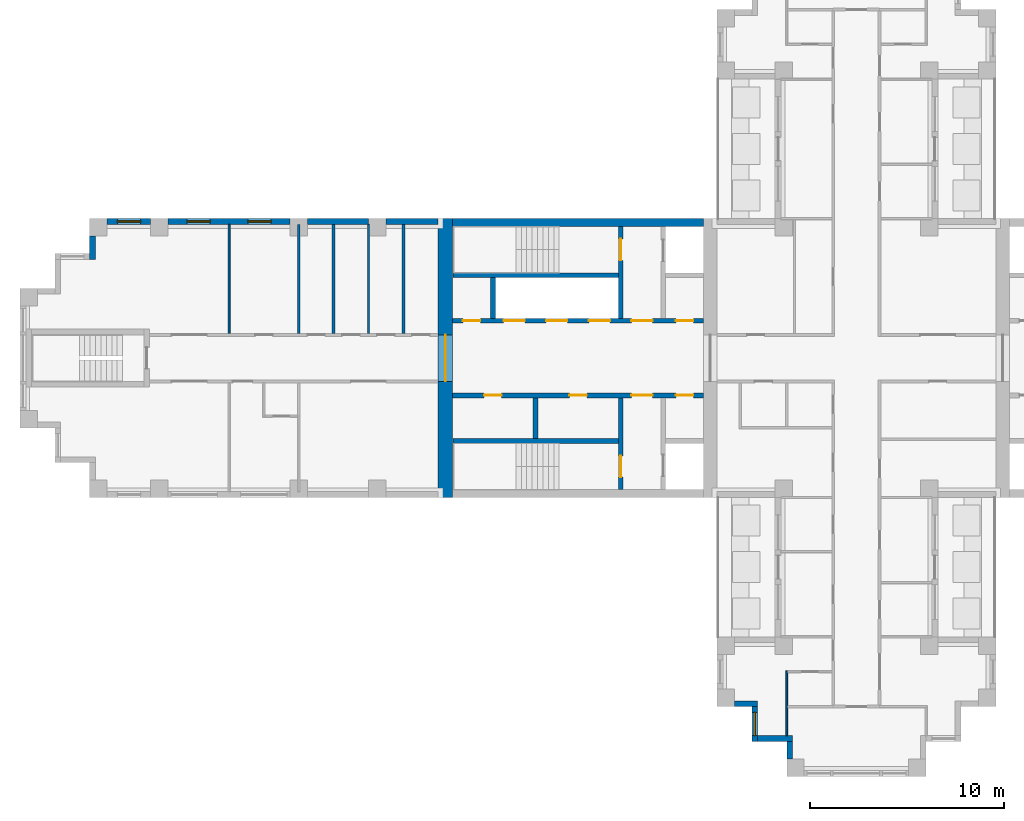
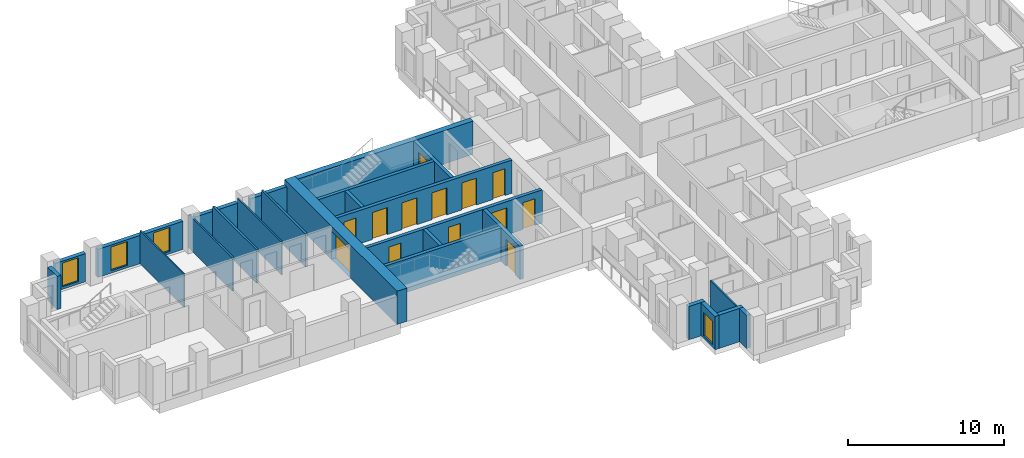
# One storey, part 3 of 11: 25 walls, 13 doors, 4 windows, 17 openings.
"""IFC4 building model written with IfcOpenShell, lengths in metres."""

import ifcopenshell
import ifcopenshell.guid

model = None  # the IFC model being written
_history = None  # IfcOwnerHistory: only IFC2X3 demands one
_inside = {}  # id of a spatial element -> (the spatial element, [elements in it])
_under = {}  # id of a project, library or spatial element -> (it, [spatial elements below it])
_declared = {}  # id of a project -> (the project, [libraries it declares])
_typed = {}  # id of a type object -> (the type object, [elements of that type])
_made_of = {}  # id of a material, layer set ... -> (it, [elements and type objects made of it])


def new_model(schema):
    """Start an empty IFC model of exactly this schema.

    Asked for "IFC4X3", IfcOpenShell would pick the latest addendum, in which some entities
    have other attributes; the version numbers below select the first issue.
    IFC2X3 requires an IfcOwnerHistory on every rooted entity: one is made here for all.
    """
    global model, _history
    if schema == "IFC4X3":
        model = ifcopenshell.file(schema_version=(4, 3, 0, 0))
    else:
        model = ifcopenshell.file(schema=schema)
    _inside.clear()
    _under.clear()
    _declared.clear()
    _typed.clear()
    _made_of.clear()
    _history = None
    if model.schema == "IFC2X3":
        org = make("IfcOrganization", Name="unknown")
        user = make(
            "IfcPersonAndOrganization",
            ThePerson=make("IfcPerson", FamilyName="unknown"),
            TheOrganization=org,
        )
        app = make(
            "IfcApplication",
            ApplicationDeveloper=org,
            Version="unknown",
            ApplicationFullName="unknown",
            ApplicationIdentifier="unknown",
        )
        _history = make(
            "IfcOwnerHistory",
            OwningUser=user,
            OwningApplication=app,
            ChangeAction="ADDED",
            CreationDate=0,
        )
    return model


def make(cls, **values):
    """One entity of the class cls with the attributes given. An attribute that is None is left unset."""
    return model.create_entity(
        cls, **{name: value for name, value in values.items() if value is not None}
    )


def rooted(cls, **values):
    """An entity with a GlobalId (a new one), such as an element, a storey or a relation."""
    return make(cls, GlobalId=ifcopenshell.guid.new(), OwnerHistory=_history, **values)


def si_unit(unit_type, name, prefix=None):
    """IfcSIUnit, for example si_unit("LENGTHUNIT", "METRE", prefix="MILLI")."""
    return make("IfcSIUnit", UnitType=unit_type, Prefix=prefix, Name=name)


def assignment(units):
    """IfcUnitAssignment: the units of a project."""
    return None if units is None else make("IfcUnitAssignment", Units=units)


def point(xyz):
    """IfcCartesianPoint."""
    return None if xyz is None else make("IfcCartesianPoint", Coordinates=xyz)


def direction(xyz):
    """IfcDirection."""
    return None if xyz is None else make("IfcDirection", DirectionRatios=xyz)


def frame(location, z_axis=None, x_axis=None):
    """IfcAxis2Placement3D, a coordinate frame: its origin and axes. An axis left out is left unset."""
    return make(
        "IfcAxis2Placement3D",
        Location=point(location),
        Axis=direction(z_axis),
        RefDirection=direction(x_axis),
    )


def frame_2d(location, x_axis=None):
    """IfcAxis2Placement2D, a coordinate frame in the plane: its origin and x axis."""
    return make(
        "IfcAxis2Placement2D", Location=point(location), RefDirection=direction(x_axis)
    )


def origin():
    """The frame at (0, 0, 0) with its axes left unset."""
    return frame((0.0, 0.0, 0.0))


def place(relative_to, where):
    """IfcLocalPlacement: puts the frame where relative to a parent placement (None: the world)."""
    return make(
        "IfcLocalPlacement", PlacementRelTo=relative_to, RelativePlacement=where
    )


def context(
    kind, dimensions, precision=None, world=None, true_north=None, identifier=None
):
    """IfcGeometricRepresentationContext, for example the 3D "Model" context."""
    return make(
        "IfcGeometricRepresentationContext",
        ContextIdentifier=identifier,
        ContextType=kind,
        CoordinateSpaceDimension=dimensions,
        Precision=precision,
        WorldCoordinateSystem=world,
        TrueNorth=true_north,
    )


def subcontext(parent, identifier, kind, view, scale=None):
    """IfcGeometricRepresentationSubContext, for example "Body" below "Model"."""
    return make(
        "IfcGeometricRepresentationSubContext",
        ContextIdentifier=identifier,
        ContextType=kind,
        ParentContext=parent,
        TargetScale=scale,
        TargetView=view,
    )


def project(units=None, contexts=None):
    """IfcProject with its units and contexts."""
    return rooted(
        "IfcProject",
        Name="project",
        RepresentationContexts=contexts,
        UnitsInContext=assignment(units),
    )


def spatial(cls, under=None, at=None, **own):
    """A site, building, storey or space (cls), placed at a placement, below another one or the project."""
    s = rooted(cls, ObjectPlacement=at, **own)
    if under is not None:
        _under.setdefault(under.id(), (under, []))[1].append(s)
    return s


def profile(cls, at=None, kind="AREA", **sizes):
    """A parametric profile (cls). Its sizes go by their IFC names, for example OverallWidth=200.0."""
    return make(cls, ProfileType=kind, Position=at, **sizes)


def rectangle(**sizes):
    """IfcRectangleProfileDef."""
    return profile("IfcRectangleProfileDef", **sizes)


def extrude(swept, where, along, depth):
    """IfcExtrudedAreaSolid: the profile swept, set in the frame where, extruded along a direction by depth."""
    return make(
        "IfcExtrudedAreaSolid",
        SweptArea=swept,
        Position=where,
        ExtrudedDirection=direction(along),
        Depth=depth,
    )


def shape(context_of_items, identifier, shape_type, items):
    """IfcShapeRepresentation: the items that make up one representation, for example the "Body"."""
    return make(
        "IfcShapeRepresentation",
        ContextOfItems=context_of_items,
        RepresentationIdentifier=identifier,
        RepresentationType=shape_type,
        Items=items,
    )


def material(Name=None, Category=None):
    """IfcMaterial."""
    return make("IfcMaterial", Name=Name, Category=Category)


def layer(
    of_material, thickness, ventilated=None, Name=None, Category=None, Priority=None
):
    """IfcMaterialLayer: one layer of a wall or slab, of a material (None: an air gap)."""
    return make(
        "IfcMaterialLayer",
        Material=of_material,
        LayerThickness=thickness,
        IsVentilated=ventilated,
        Name=Name,
        Category=Category,
        Priority=Priority,
    )


def layer_set(layers, Name=None):
    """IfcMaterialLayerSet."""
    return make("IfcMaterialLayerSet", MaterialLayers=layers, LayerSetName=Name)


def made_of(thing, what):
    """Note that an element or type object is made of a material, layer set ...; save() writes the relation."""
    if what is not None:
        _made_of.setdefault(what.id(), (what, []))[1].append(thing)
    return thing


def type_object(cls, material=None, **own):
    """A type object (cls), such as IfcWallType, which elements share."""
    return made_of(rooted(cls, **own), material)


def element(
    cls,
    number,
    at=None,
    inside=None,
    cuts=None,
    type_object=None,
    material=None,
    context=None,
    identifier="Body",
    shape_type=None,
    held_by="IfcProductDefinitionShape",
    body=None,
    shapes=None,
    **own,
):
    """One element of the class cls, such as IfcWall. Its Tag is "e" and its number.

    at: its placement. inside: the storey or other place that contains it. cuts: it is an
    opening in that element (IfcRelVoidsElement). A single representation is given by context,
    identifier, shape_type and body (its items); several are given by shapes. held_by: the class
    of the entity that holds the representations. save() writes the other relations.
    """
    e = rooted(cls, Tag="e%d" % number, ObjectPlacement=at, **own)
    if body is not None:
        shapes = [shape(context, identifier, shape_type, body)]
    if shapes is not None:
        e.Representation = make(held_by, Representations=shapes)
    if inside is not None:
        _inside.setdefault(inside.id(), (inside, []))[1].append(e)
    if cuts is not None:
        rooted(
            "IfcRelVoidsElement", RelatingBuildingElement=cuts, RelatedOpeningElement=e
        )
    if type_object is not None:
        _typed.setdefault(type_object.id(), (type_object, []))[1].append(e)
    return made_of(e, material)


def fill(opening, filler):
    """IfcRelFillsElement: the door or window that sits in an opening."""
    return rooted(
        "IfcRelFillsElement",
        RelatingOpeningElement=opening,
        RelatedBuildingElement=filler,
    )


def aggregate(whole, parts):
    """IfcRelAggregates: a whole, such as a stair, and the parts it consists of."""
    return rooted("IfcRelAggregates", RelatingObject=whole, RelatedObjects=parts)


def save(model, path):
    """Write the relations noted so far, then the file.

    IfcRelAggregates (storeys below a building ...), IfcRelContainedInSpatialStructure (elements
    in a storey), IfcRelDefinesByType, IfcRelAssociatesMaterial and IfcRelDeclares: one each for
    every whole, place, type object, material and project.
    """
    for whole, parts in _under.values():
        aggregate(whole, parts)
    for where, things in _inside.values():
        rooted(
            "IfcRelContainedInSpatialStructure",
            RelatedElements=things,
            RelatingStructure=where,
        )
    for kind, things in _typed.values():
        rooted("IfcRelDefinesByType", RelatedObjects=things, RelatingType=kind)
    for what, things in _made_of.values():
        rooted("IfcRelAssociatesMaterial", RelatedObjects=things, RelatingMaterial=what)
    for by, libraries in _declared.values():
        rooted("IfcRelDeclares", RelatingContext=by, RelatedDefinitions=libraries)
    model.write(path)


model = new_model("IFC4")

# Units and contexts
model_context = context("Model", 3, precision=1e-05, world=origin(), true_north=direction((0.0, 1.0)))
body_context = subcontext(model_context, "Body", "Model", "MODEL_VIEW")
ifc_project = project(units=[si_unit("LENGTHUNIT", "METRE"), si_unit("AREAUNIT", "SQUARE_METRE"), si_unit("VOLUMEUNIT", "CUBIC_METRE"), si_unit("PLANEANGLEUNIT", "RADIAN"), si_unit("MASSUNIT", "GRAM", prefix="KILO")], contexts=[model_context])

# Site, building, storey
site_placement = place(None, origin())
site = spatial("IfcSite", under=ifc_project, at=site_placement, CompositionType="ELEMENT")
building_placement = place(site_placement, origin())
building = spatial("IfcBuilding", under=site, at=building_placement, Name="Fustian Cross Tower", CompositionType="ELEMENT")
storey_placement = place(building_placement, frame((0.0, 0.0, 170.699951171875)))
storey = spatial("IfcBuildingStorey", under=building, at=storey_placement, Name="L53", CompositionType="ELEMENT", Elevation=170.699951171875)

# Walls
ifc_material_1 = material(Name="Plasterboard on steel stud", Category="steel")
ifc_layer_1 = layer(ifc_material_1, 0.14990234375)
ifc_layer_set_1 = layer_set([ifc_layer_1], Name="Plasterboard on steel stud")
wall_type_1 = type_object("IfcWallType", Name="COMPARTMENT WALL 150 EI 60", PredefinedType="PARTITIONING", material=ifc_layer_set_1)
for number, where, z_axis, x_axis, name in (
    (1, (-27.0, 1.27490234375, 0.0), (0.0, 0.0, 1.0), (0.0, 1.0, 0.0), "Partition 10"),
    (2, (-23.39990234375, 1.27490234375, 0.0), (0.0, 0.0, 1.0), (0.0, 1.0, 0.0), "Partition 12"),
):
    element("IfcWall", number, at=place(storey_placement, frame(where, z_axis=z_axis, x_axis=x_axis)), inside=storey, type_object=wall_type_1, Name=name, PredefinedType="PARTITIONING", context=body_context, shape_type="SweptSolid", body=[
        extrude(rectangle(XDim=5.625, YDim=0.14990234375, at=frame_2d((2.8125, 0.0))), origin(), (0.0, 0.0, 1.0), 2.60009765625),
    ])

# Wall, opening, door
ifc_material_2 = material(Name="Concrete C50/60", Category="concrete")
ifc_layer_2 = layer(ifc_material_2, 0.75)
ifc_layer_set_2 = layer_set([ifc_layer_2], Name="Concrete C50/60")
wall_type_2 = type_object("IfcWallType", Name="CORE END WALL 750 C50/60", PredefinedType="SHEAR", material=ifc_layer_set_2)
wall_1_placement = place(storey_placement, frame((-21.22509765625, -7.199951171875, 0.0), z_axis=(0.0, 0.0, 1.0), x_axis=(0.0, 1.0, 0.0)))
wall_1 = element("IfcWall", 3, at=wall_1_placement, inside=storey, type_object=wall_type_2, Name="Core end wall", PredefinedType="SHEAR", context=body_context, shape_type="SweptSolid", body=[
    extrude(rectangle(XDim=14.39990234375, YDim=0.75, at=frame_2d((7.199951171875, 0.0))), origin(), (0.0, 0.0, 1.0), 2.60009765625),
])
opening_1_placement = place(wall_1_placement, frame((6.0, 0.0, 0.0)))
opening_1 = element("IfcOpeningElement", 4, at=opening_1_placement, cuts=wall_1, Name="Opening CD-22-29", PredefinedType="OPENING", context=body_context, shape_type="SweptSolid", body=[
    extrude(rectangle(XDim=2.39990234375, YDim=2.199951171875, at=frame_2d((1.199951171875, 1.10009765625))), frame((0.0, 0.385009765625, 0.0), z_axis=(0.0, -1.0, 0.0), x_axis=(1.0, 0.0, 0.0)), (0.0, 0.0, 1.0), 0.77001953125),
])
ifc_material_3 = material(Name="Steel", Category="steel")
door_type_1 = type_object("IfcDoorType", Name="FIRE DOOR FD30S DOUBLE 2400X2200", OperationType="DOUBLE_DOOR_DOUBLE_SWING", PredefinedType="DOOR", material=ifc_material_3)
door_1_placement = place(opening_1_placement, frame((2.39990234375, 0.0, 0.0), z_axis=(0.0, 0.0, 1.0), x_axis=(-1.0, 0.0, 0.0)))
door_1 = element("IfcDoor", 5, at=door_1_placement, inside=storey, type_object=door_type_1, Name="Core door CD-22-29", OperationType="DOUBLE_DOOR_DOUBLE_SWING", OverallHeight=2.199951171875, OverallWidth=2.39990234375, PredefinedType="DOOR", context=body_context, shape_type="SweptSolid", body=[
    extrude(rectangle(XDim=2.39990234375, YDim=2.199951171875, at=frame_2d((1.199951171875, 1.10009765625))), frame((0.0, 0.02490234375, 0.0), z_axis=(0.0, -1.0, 0.0), x_axis=(1.0, 0.0, 0.0)), (0.0, 0.0, 1.0), 0.050048828125),
])
fill(opening_1, door_1)

# Wall
ifc_material_4 = material(Name="Concrete C50/60", Category="concrete")
ifc_layer_3 = layer(ifc_material_4, 0.39990234375)
ifc_layer_set_3 = layer_set([ifc_layer_3], Name="Concrete C50/60")
wall_type_3 = type_object("IfcWallType", Name="CORE FACADE WALL 400 C50/60", PredefinedType="SHEAR", material=ifc_layer_set_3)
wall_2_placement = place(storey_placement, frame((-7.89990234375, 7.0, 0.0), z_axis=(0.0, 0.0, 1.0), x_axis=(-1.0, 0.0, 0.0)))
element("IfcWall", 6, at=wall_2_placement, inside=storey, type_object=wall_type_3, Name="Core facade wall", PredefinedType="SHEAR", context=body_context, shape_type="SweptSolid", body=[
    extrude(rectangle(XDim=12.9501953125, YDim=0.39990234375, at=frame_2d((6.47509765625, 0.0))), origin(), (0.0, 0.0, 1.0), 2.60009765625),
])

# Wall, openings, doors
ifc_material_5 = material(Name="Concrete C50/60", Category="concrete")
ifc_layer_4 = layer(ifc_material_5, 0.25)
ifc_layer_set_4 = layer_set([ifc_layer_4], Name="Concrete C50/60")
wall_type_4 = type_object("IfcWallType", Name="CORE LOBBY WALL 250 C50/60", PredefinedType="SHEAR", material=ifc_layer_set_4)
wall_3_placement = place(storey_placement, frame((-7.89990234375, 1.925048828125, 0.0), z_axis=(0.0, 0.0, 1.0), x_axis=(-1.0, 0.0, 0.0)))
wall_3 = element("IfcWall", 7, at=wall_3_placement, inside=storey, type_object=wall_type_4, Name="Core lobby wall", PredefinedType="SHEAR", context=body_context, shape_type="SweptSolid", body=[
    extrude(rectangle(XDim=12.9501953125, YDim=0.25, at=frame_2d((6.47509765625, 0.0))), origin(), (0.0, 0.0, 1.0), 2.60009765625),
])
opening_2_placement = place(wall_3_placement, frame((4.824951171875, 0.0, 0.0)))
opening_2 = element("IfcOpeningElement", 8, at=opening_2_placement, cuts=wall_3, Name="Opening LD", PredefinedType="OPENING", context=body_context, shape_type="SweptSolid", body=[
    extrude(rectangle(XDim=1.10009765625, YDim=2.10009765625, at=frame_2d((0.550048828125, 1.050048828125))), frame((0.0, 0.135009765625, 0.0), z_axis=(0.0, -1.0, 0.0), x_axis=(1.0, 0.0, 0.0)), (0.0, 0.0, 1.0), 0.27001953125),
])
opening_3_placement = place(wall_3_placement, frame((7.02490234375, 0.0, 0.0)))
opening_3 = element("IfcOpeningElement", 9, at=opening_3_placement, cuts=wall_3, Name="Opening LD", PredefinedType="OPENING", context=body_context, shape_type="SweptSolid", body=[
    extrude(rectangle(XDim=1.10009765625, YDim=2.10009765625, at=frame_2d((0.550048828125, 1.050048828125))), frame((0.0, 0.135009765625, 0.0), z_axis=(0.0, -1.0, 0.0), x_axis=(1.0, 0.0, 0.0)), (0.0, 0.0, 1.0), 0.27001953125),
])
opening_4_placement = place(wall_3_placement, frame((9.22509765625, 0.0, 0.0)))
opening_4 = element("IfcOpeningElement", 10, at=opening_4_placement, cuts=wall_3, Name="Opening LD", PredefinedType="OPENING", context=body_context, shape_type="SweptSolid", body=[
    extrude(rectangle(XDim=1.10009765625, YDim=2.10009765625, at=frame_2d((0.550048828125, 1.050048828125))), frame((0.0, 0.135009765625, 0.0), z_axis=(0.0, -1.0, 0.0), x_axis=(1.0, 0.0, 0.0)), (0.0, 0.0, 1.0), 0.27001953125),
])
opening_5_placement = place(wall_3_placement, frame((0.52490234375, 0.0, 0.0)))
opening_5 = element("IfcOpeningElement", 11, at=opening_5_placement, cuts=wall_3, Name="Opening CD-22-24", PredefinedType="OPENING", context=body_context, shape_type="SweptSolid", body=[
    extrude(rectangle(XDim=0.89990234375, YDim=2.10009765625, at=frame_2d((0.449951171875, 1.050048828125))), frame((0.0, 0.135009765625, 0.0), z_axis=(0.0, -1.0, 0.0), x_axis=(1.0, 0.0, 0.0)), (0.0, 0.0, 1.0), 0.27001953125),
])
opening_6_placement = place(wall_3_placement, frame((2.625, 0.0, 0.0)))
opening_6 = element("IfcOpeningElement", 12, at=opening_6_placement, cuts=wall_3, Name="Opening CD-22-26", PredefinedType="OPENING", context=body_context, shape_type="SweptSolid", body=[
    extrude(rectangle(XDim=1.10009765625, YDim=2.10009765625, at=frame_2d((0.550048828125, 1.050048828125))), frame((0.0, 0.135009765625, 0.0), z_axis=(0.0, -1.0, 0.0), x_axis=(1.0, 0.0, 0.0)), (0.0, 0.0, 1.0), 0.27001953125),
])
opening_7_placement = place(wall_3_placement, frame((11.52490234375, 0.0, 0.0)))
opening_7 = element("IfcOpeningElement", 13, at=opening_7_placement, cuts=wall_3, Name="Opening CD-22-30", PredefinedType="OPENING", context=body_context, shape_type="SweptSolid", body=[
    extrude(rectangle(XDim=0.89990234375, YDim=2.10009765625, at=frame_2d((0.449951171875, 1.050048828125))), frame((0.0, 0.135009765625, 0.0), z_axis=(0.0, -1.0, 0.0), x_axis=(1.0, 0.0, 0.0)), (0.0, 0.0, 1.0), 0.27001953125),
])
ifc_material_6 = material(Name="Steel", Category="steel")
door_type_2 = type_object("IfcDoorType", Name="FIRE DOOR FD30S 900X2100", OperationType="SINGLE_SWING_LEFT", PredefinedType="DOOR", material=ifc_material_6)
door_2_placement = place(opening_7_placement, frame((0.89990234375, 0.0, 0.0), z_axis=(0.0, 0.0, 1.0), x_axis=(-1.0, 0.0, 0.0)))
door_2 = element("IfcDoor", 14, at=door_2_placement, inside=storey, type_object=door_type_2, Name="Core door CD-22-30", OperationType="SINGLE_SWING_RIGHT", OverallHeight=2.10009765625, OverallWidth=0.89990234375, PredefinedType="DOOR", context=body_context, shape_type="SweptSolid", body=[
    extrude(rectangle(XDim=0.89990234375, YDim=2.10009765625, at=frame_2d((0.449951171875, 1.050048828125))), frame((0.0, 0.02490234375, 0.0), z_axis=(0.0, -1.0, 0.0), x_axis=(1.0, 0.0, 0.0)), (0.0, 0.0, 1.0), 0.050048828125),
])
fill(opening_7, door_2)
ifc_material_7 = material(Name="Steel", Category="steel")
door_type_3 = type_object("IfcDoorType", Name="FIRE DOOR FD60S 1100X2100", OperationType="SINGLE_SWING_LEFT", PredefinedType="DOOR", material=ifc_material_7)
door_3_placement = place(opening_6_placement, frame((1.10009765625, 0.0, 0.0), z_axis=(0.0, 0.0, 1.0), x_axis=(-1.0, 0.0, 0.0)))
door_3 = element("IfcDoor", 15, at=door_3_placement, inside=storey, type_object=door_type_3, Name="Core door CD-22-26", OperationType="SINGLE_SWING_RIGHT", OverallHeight=2.10009765625, OverallWidth=1.10009765625, PredefinedType="DOOR", context=body_context, shape_type="SweptSolid", body=[
    extrude(rectangle(XDim=1.10009765625, YDim=2.10009765625, at=frame_2d((0.550048828125, 1.050048828125))), frame((0.0, 0.02490234375, 0.0), z_axis=(0.0, -1.0, 0.0), x_axis=(1.0, 0.0, 0.0)), (0.0, 0.0, 1.0), 0.050048828125),
])
fill(opening_6, door_3)
ifc_material_8 = material(Name="Steel", Category="steel")
door_type_4 = type_object("IfcDoorType", Name="FIRE DOOR FD60S 900X2100", OperationType="SINGLE_SWING_LEFT", PredefinedType="DOOR", material=ifc_material_8)
door_4_placement = place(opening_5_placement, frame((0.89990234375, 0.0, 0.0), z_axis=(0.0, 0.0, 1.0), x_axis=(-1.0, 0.0, 0.0)))
door_4 = element("IfcDoor", 16, at=door_4_placement, inside=storey, type_object=door_type_4, Name="Core door CD-22-24", OperationType="SINGLE_SWING_RIGHT", OverallHeight=2.10009765625, OverallWidth=0.89990234375, PredefinedType="DOOR", context=body_context, shape_type="SweptSolid", body=[
    extrude(rectangle(XDim=0.89990234375, YDim=2.10009765625, at=frame_2d((0.449951171875, 1.050048828125))), frame((0.0, 0.02490234375, 0.0), z_axis=(0.0, -1.0, 0.0), x_axis=(1.0, 0.0, 0.0)), (0.0, 0.0, 1.0), 0.050048828125),
])
fill(opening_5, door_4)
ifc_material_9 = material(Name="Stainless steel", Category="steel")
door_type_5 = type_object("IfcDoorType", Name="LIFT LANDING DOOR 1100X2100", OperationType="SLIDING_TO_LEFT", PredefinedType="DOOR", material=ifc_material_9)
door_5_placement = place(opening_2_placement, origin())
door_5 = element("IfcDoor", 17, at=door_5_placement, inside=storey, type_object=door_type_5, Name="Landing door HR1W", OperationType="SLIDING_TO_LEFT", OverallHeight=2.10009765625, OverallWidth=1.10009765625, PredefinedType="DOOR", context=body_context, shape_type="SweptSolid", body=[
    extrude(rectangle(XDim=1.10009765625, YDim=2.10009765625, at=frame_2d((0.550048828125, 1.050048828125))), frame((0.0, 0.02490234375, 0.0), z_axis=(0.0, -1.0, 0.0), x_axis=(1.0, 0.0, 0.0)), (0.0, 0.0, 1.0), 0.050048828125),
])
fill(opening_2, door_5)
door_6_placement = place(opening_3_placement, origin())
door_6 = element("IfcDoor", 18, at=door_6_placement, inside=storey, type_object=door_type_5, Name="Landing door HR2W", OperationType="SLIDING_TO_LEFT", OverallHeight=2.10009765625, OverallWidth=1.10009765625, PredefinedType="DOOR", context=body_context, shape_type="SweptSolid", body=[
    extrude(rectangle(XDim=1.10009765625, YDim=2.10009765625, at=frame_2d((0.550048828125, 1.050048828125))), frame((0.0, 0.02490234375, 0.0), z_axis=(0.0, -1.0, 0.0), x_axis=(1.0, 0.0, 0.0)), (0.0, 0.0, 1.0), 0.050048828125),
])
fill(opening_3, door_6)
door_7_placement = place(opening_4_placement, origin())
door_7 = element("IfcDoor", 19, at=door_7_placement, inside=storey, type_object=door_type_5, Name="Landing door HR3W", OperationType="SLIDING_TO_LEFT", OverallHeight=2.10009765625, OverallWidth=1.10009765625, PredefinedType="DOOR", context=body_context, shape_type="SweptSolid", body=[
    extrude(rectangle(XDim=1.10009765625, YDim=2.10009765625, at=frame_2d((0.550048828125, 1.050048828125))), frame((0.0, 0.02490234375, 0.0), z_axis=(0.0, -1.0, 0.0), x_axis=(1.0, 0.0, 0.0)), (0.0, 0.0, 1.0), 0.050048828125),
])
fill(opening_4, door_7)

wall_4_placement = place(storey_placement, frame((-7.89990234375, -1.925048828125, 0.0), z_axis=(0.0, 0.0, 1.0), x_axis=(-1.0, 0.0, 0.0)))
wall_4 = element("IfcWall", 20, at=wall_4_placement, inside=storey, type_object=wall_type_4, Name="Core lobby wall", PredefinedType="SHEAR", context=body_context, shape_type="SweptSolid", body=[
    extrude(rectangle(XDim=12.9501953125, YDim=0.25, at=frame_2d((6.47509765625, 0.0))), origin(), (0.0, 0.0, 1.0), 2.60009765625),
])
opening_8_placement = place(wall_4_placement, frame((0.52490234375, 0.0, 0.0)))
opening_8 = element("IfcOpeningElement", 21, at=opening_8_placement, cuts=wall_4, Name="Opening CD-22-25", PredefinedType="OPENING", context=body_context, shape_type="SweptSolid", body=[
    extrude(rectangle(XDim=0.89990234375, YDim=2.10009765625, at=frame_2d((0.449951171875, 1.050048828125))), frame((0.0, 0.135009765625, 0.0), z_axis=(0.0, -1.0, 0.0), x_axis=(1.0, 0.0, 0.0)), (0.0, 0.0, 1.0), 0.27001953125),
])
opening_9_placement = place(wall_4_placement, frame((2.625, 0.0, 0.0)))
opening_9 = element("IfcOpeningElement", 22, at=opening_9_placement, cuts=wall_4, Name="Opening CD-22-27", PredefinedType="OPENING", context=body_context, shape_type="SweptSolid", body=[
    extrude(rectangle(XDim=1.10009765625, YDim=2.10009765625, at=frame_2d((0.550048828125, 1.050048828125))), frame((0.0, 0.135009765625, 0.0), z_axis=(0.0, -1.0, 0.0), x_axis=(1.0, 0.0, 0.0)), (0.0, 0.0, 1.0), 0.27001953125),
])
opening_10_placement = place(wall_4_placement, frame((6.02490234375, 0.0, 0.0)))
opening_10 = element("IfcOpeningElement", 23, at=opening_10_placement, cuts=wall_4, Name="Opening CD-22-31", PredefinedType="OPENING", context=body_context, shape_type="SweptSolid", body=[
    extrude(rectangle(XDim=0.89990234375, YDim=2.10009765625, at=frame_2d((0.449951171875, 1.050048828125))), frame((0.0, 0.135009765625, 0.0), z_axis=(0.0, -1.0, 0.0), x_axis=(1.0, 0.0, 0.0)), (0.0, 0.0, 1.0), 0.27001953125),
])
opening_11_placement = place(wall_4_placement, frame((10.425048828125, 0.0, 0.0)))
opening_11 = element("IfcOpeningElement", 24, at=opening_11_placement, cuts=wall_4, Name="Opening CD-22-32", PredefinedType="OPENING", context=body_context, shape_type="SweptSolid", body=[
    extrude(rectangle(XDim=0.89990234375, YDim=2.10009765625, at=frame_2d((0.449951171875, 1.050048828125))), frame((0.0, 0.135009765625, 0.0), z_axis=(0.0, -1.0, 0.0), x_axis=(1.0, 0.0, 0.0)), (0.0, 0.0, 1.0), 0.27001953125),
])
ifc_material_10 = material(Name="Steel", Category="steel")
door_type_6 = type_object("IfcDoorType", Name="FIRE DOOR FD30S 1100X2100", OperationType="SINGLE_SWING_LEFT", PredefinedType="DOOR", material=ifc_material_10)
door_8_placement = place(opening_9_placement, frame((1.10009765625, 0.0, 0.0), z_axis=(0.0, 0.0, 1.0), x_axis=(-1.0, 0.0, 0.0)))
door_8 = element("IfcDoor", 25, at=door_8_placement, inside=storey, type_object=door_type_6, Name="Core door CD-22-27", OperationType="SINGLE_SWING_RIGHT", OverallHeight=2.10009765625, OverallWidth=1.10009765625, PredefinedType="DOOR", context=body_context, shape_type="SweptSolid", body=[
    extrude(rectangle(XDim=1.10009765625, YDim=2.10009765625, at=frame_2d((0.550048828125, 1.050048828125))), frame((0.0, 0.02490234375, 0.0), z_axis=(0.0, -1.0, 0.0), x_axis=(1.0, 0.0, 0.0)), (0.0, 0.0, 1.0), 0.050048828125),
])
fill(opening_9, door_8)
door_9_placement = place(opening_8_placement, origin())
door_9 = element("IfcDoor", 26, at=door_9_placement, inside=storey, type_object=door_type_2, Name="Core door CD-22-25", OperationType="SINGLE_SWING_LEFT", OverallHeight=2.10009765625, OverallWidth=0.89990234375, PredefinedType="DOOR", context=body_context, shape_type="SweptSolid", body=[
    extrude(rectangle(XDim=0.89990234375, YDim=2.10009765625, at=frame_2d((0.449951171875, 1.050048828125))), frame((0.0, 0.02490234375, 0.0), z_axis=(0.0, -1.0, 0.0), x_axis=(1.0, 0.0, 0.0)), (0.0, 0.0, 1.0), 0.050048828125),
])
fill(opening_8, door_9)
door_10_placement = place(opening_10_placement, origin())
door_10 = element("IfcDoor", 27, at=door_10_placement, inside=storey, type_object=door_type_2, Name="Core door CD-22-31", OperationType="SINGLE_SWING_RIGHT", OverallHeight=2.10009765625, OverallWidth=0.89990234375, PredefinedType="DOOR", context=body_context, shape_type="SweptSolid", body=[
    extrude(rectangle(XDim=0.89990234375, YDim=2.10009765625, at=frame_2d((0.449951171875, 1.050048828125))), frame((0.0, 0.02490234375, 0.0), z_axis=(0.0, -1.0, 0.0), x_axis=(1.0, 0.0, 0.0)), (0.0, 0.0, 1.0), 0.050048828125),
])
fill(opening_10, door_10)
door_11_placement = place(opening_11_placement, origin())
door_11 = element("IfcDoor", 28, at=door_11_placement, inside=storey, type_object=door_type_2, Name="Core door CD-22-32", OperationType="SINGLE_SWING_RIGHT", OverallHeight=2.10009765625, OverallWidth=0.89990234375, PredefinedType="DOOR", context=body_context, shape_type="SweptSolid", body=[
    extrude(rectangle(XDim=0.89990234375, YDim=2.10009765625, at=frame_2d((0.449951171875, 1.050048828125))), frame((0.0, 0.02490234375, 0.0), z_axis=(0.0, -1.0, 0.0), x_axis=(1.0, 0.0, 0.0)), (0.0, 0.0, 1.0), 0.050048828125),
])
fill(opening_11, door_11)

# Wall
ifc_material_11 = material(Name="Concrete C50/60", Category="concrete")
ifc_layer_5 = layer(ifc_material_11, 0.25)
ifc_layer_set_5 = layer_set([ifc_layer_5], Name="Concrete C50/60")
wall_type_5 = type_object("IfcWallType", Name="CORE SHAFT WALL 250 C50/60", PredefinedType="SHEAR", material=ifc_layer_set_5)
wall_5_placement = place(storey_placement, frame((-12.300048828125, 4.27490234375, 0.0), z_axis=(0.0, 0.0, 1.0), x_axis=(-1.0, 0.0, 0.0)))
element("IfcWall", 29, at=wall_5_placement, inside=storey, type_object=wall_type_5, Name="Core shaft wall", PredefinedType="SHEAR", context=body_context, shape_type="SweptSolid", body=[
    extrude(rectangle(XDim=8.550048828125, YDim=0.25, at=frame_2d((4.27490234375, 0.0))), origin(), (0.0, 0.0, 1.0), 2.60009765625),
])

# Wall, opening, door
wall_6_placement = place(storey_placement, frame((-12.175048828125, 2.050048828125, 0.0), z_axis=(0.0, 0.0, 1.0), x_axis=(0.0, 1.0, 0.0)))
wall_6 = element("IfcWall", 30, at=wall_6_placement, inside=storey, type_object=wall_type_5, Name="Core shaft wall", PredefinedType="SHEAR", context=body_context, shape_type="SweptSolid", body=[
    extrude(rectangle(XDim=4.75, YDim=0.25, at=frame_2d((2.375, 0.0))), origin(), (0.0, 0.0, 1.0), 2.60009765625),
])
opening_12_placement = place(wall_6_placement, frame((3.0, 0.0, 0.0)))
opening_12 = element("IfcOpeningElement", 31, at=opening_12_placement, cuts=wall_6, Name="Opening CD-22-22", PredefinedType="OPENING", context=body_context, shape_type="SweptSolid", body=[
    extrude(rectangle(XDim=1.10009765625, YDim=2.10009765625, at=frame_2d((0.550048828125, 1.050048828125))), frame((0.0, 0.135009765625, 0.0), z_axis=(0.0, -1.0, 0.0), x_axis=(1.0, 0.0, 0.0)), (0.0, 0.0, 1.0), 0.27001953125),
])
door_12_placement = place(opening_12_placement, origin())
door_12 = element("IfcDoor", 32, at=door_12_placement, inside=storey, type_object=door_type_3, Name="Core door CD-22-22", OperationType="SINGLE_SWING_LEFT", OverallHeight=2.10009765625, OverallWidth=1.10009765625, PredefinedType="DOOR", context=body_context, shape_type="SweptSolid", body=[
    extrude(rectangle(XDim=1.10009765625, YDim=2.10009765625, at=frame_2d((0.550048828125, 1.050048828125))), frame((0.0, 0.02490234375, 0.0), z_axis=(0.0, -1.0, 0.0), x_axis=(1.0, 0.0, 0.0)), (0.0, 0.0, 1.0), 0.050048828125),
])
fill(opening_12, door_12)

# Wall
wall_7_placement = place(storey_placement, frame((-12.300048828125, -4.27490234375, 0.0), z_axis=(0.0, 0.0, 1.0), x_axis=(-1.0, 0.0, 0.0)))
element("IfcWall", 33, at=wall_7_placement, inside=storey, type_object=wall_type_5, Name="Core shaft wall", PredefinedType="SHEAR", context=body_context, shape_type="SweptSolid", body=[
    extrude(rectangle(XDim=8.550048828125, YDim=0.25, at=frame_2d((4.27490234375, 0.0))), origin(), (0.0, 0.0, 1.0), 2.60009765625),
])

# Wall, opening, door
wall_8_placement = place(storey_placement, frame((-12.175048828125, -2.050048828125, 0.0), z_axis=(0.0, 0.0, 1.0), x_axis=(0.0, -1.0, 0.0)))
wall_8 = element("IfcWall", 34, at=wall_8_placement, inside=storey, type_object=wall_type_5, Name="Core shaft wall", PredefinedType="SHEAR", context=body_context, shape_type="SweptSolid", body=[
    extrude(rectangle(XDim=4.75, YDim=0.25, at=frame_2d((2.375, 0.0))), origin(), (0.0, 0.0, 1.0), 2.60009765625),
])
opening_13_placement = place(wall_8_placement, frame((3.0, 0.0, 0.0)))
opening_13 = element("IfcOpeningElement", 35, at=opening_13_placement, cuts=wall_8, Name="Opening CD-22-23", PredefinedType="OPENING", context=body_context, shape_type="SweptSolid", body=[
    extrude(rectangle(XDim=1.10009765625, YDim=2.10009765625, at=frame_2d((0.550048828125, 1.050048828125))), frame((0.0, 0.135009765625, 0.0), z_axis=(0.0, -1.0, 0.0), x_axis=(1.0, 0.0, 0.0)), (0.0, 0.0, 1.0), 0.27001953125),
])
door_13_placement = place(opening_13_placement, frame((1.10009765625, 0.0, 0.0), z_axis=(0.0, 0.0, 1.0), x_axis=(-1.0, 0.0, 0.0)))
door_13 = element("IfcDoor", 36, at=door_13_placement, inside=storey, type_object=door_type_3, Name="Core door CD-22-23", OperationType="SINGLE_SWING_RIGHT", OverallHeight=2.10009765625, OverallWidth=1.10009765625, PredefinedType="DOOR", context=body_context, shape_type="SweptSolid", body=[
    extrude(rectangle(XDim=1.10009765625, YDim=2.10009765625, at=frame_2d((0.550048828125, 1.050048828125))), frame((0.0, 0.02490234375, 0.0), z_axis=(0.0, -1.0, 0.0), x_axis=(1.0, 0.0, 0.0)), (0.0, 0.0, 1.0), 0.050048828125),
])
fill(opening_13, door_13)

# Walls
ifc_material_12 = material(Name="Plasterboard on steel stud", Category="steel")
ifc_layer_6 = layer(ifc_material_12, 0.10009765625)
ifc_layer_set_6 = layer_set([ifc_layer_6], Name="Plasterboard on steel stud")
wall_type_6 = type_object("IfcWallType", Name="PARTITION 100 STUD", PredefinedType="PARTITIONING", material=ifc_layer_set_6)
for number, where, z_axis, x_axis, name in (
    (37, (-32.39990234375, 1.27490234375, 0.0), (0.0, 0.0, 1.0), (0.0, 1.0, 0.0), "Partition 4"),
    (38, (-25.199951171875, 1.27490234375, 0.0), (0.0, 0.0, 1.0), (0.0, 1.0, 0.0), "Partition 11"),
):
    element("IfcWall", number, at=place(storey_placement, frame(where, z_axis=z_axis, x_axis=x_axis)), inside=storey, type_object=wall_type_6, Name=name, PredefinedType="PARTITIONING", context=body_context, shape_type="SweptSolid", body=[
        extrude(rectangle(XDim=5.625, YDim=0.10009765625, at=frame_2d((2.8125, 0.0))), origin(), (0.0, 0.0, 1.0), 2.60009765625),
    ])
wall_9_placement = place(storey_placement, frame((-3.60009765625, -19.5, 0.0), z_axis=(0.0, 0.0, 1.0), x_axis=(0.0, 1.0, 0.0)))
element("IfcWall", 39, at=wall_9_placement, inside=storey, type_object=wall_type_6, Name="Partition 22", PredefinedType="PARTITIONING", context=body_context, shape_type="SweptSolid", body=[
    extrude(rectangle(XDim=3.35009765625, YDim=0.10009765625, at=frame_2d((1.675048828125, 0.0))), origin(), (0.0, 0.0, 1.0), 2.60009765625),
])
ifc_material_13 = material(Name="Concrete C40/50", Category="concrete")
ifc_layer_7 = layer(ifc_material_13, 0.25)
ifc_layer_set_7 = layer_set([ifc_layer_7], Name="Concrete C40/50")
wall_type_7 = type_object("IfcWallType", Name="SHAFT PARTITION WALL 250 C40/50", PredefinedType="PARTITIONING", material=ifc_layer_set_7)
for number, where, z_axis, x_axis, name in (
    (40, (-18.77490234375, 2.050048828125, 0.0), (0.0, 0.0, 1.0), (0.0, 1.0, 0.0), "Core shaft wall"),
    (41, (-16.574951171875, -2.050048828125, 0.0), (0.0, 0.0, 1.0), (0.0, -1.0, 0.0), "Core shaft wall"),
):
    element("IfcWall", number, at=place(storey_placement, frame(where, z_axis=z_axis, x_axis=x_axis)), inside=storey, type_object=wall_type_7, Name=name, PredefinedType="PARTITIONING", context=body_context, shape_type="SweptSolid", body=[
        extrude(rectangle(XDim=2.099853515625, YDim=0.25, at=frame_2d((1.0498046875, 0.0))), origin(), (0.0, 0.0, 1.0), 2.60009765625),
    ])
ifc_material_14 = material(Name="Plasterboard on steel stud", Category="steel")
ifc_layer_8 = layer(ifc_material_14, 0.125)
ifc_layer_set_8 = layer_set([ifc_layer_8], Name="Plasterboard on steel stud")
wall_type_8 = type_object("IfcWallType", Name="WET WALL 125 STUD", PredefinedType="PARTITIONING", material=ifc_layer_set_8)
wall_10_placement = place(storey_placement, frame((-28.800048828125, 1.27490234375, 0.0), z_axis=(0.0, 0.0, 1.0), x_axis=(0.0, 1.0, 0.0)))
element("IfcWall", 42, at=wall_10_placement, inside=storey, type_object=wall_type_8, Name="Partition 9", PredefinedType="PARTITIONING", context=body_context, shape_type="SweptSolid", body=[
    extrude(rectangle(XDim=5.625, YDim=0.125, at=frame_2d((2.8125, 0.0))), origin(), (0.0, 0.0, 1.0), 2.60009765625),
])
ifc_material_15 = material(Name="Dark aluminium cladding on insulated backing wall", Category="aluminium")
ifc_layer_9 = layer(ifc_material_15, 0.300048828125)
ifc_layer_set_9 = layer_set([ifc_layer_9], Name="Dark aluminium cladding on insulated backing wall")
wall_type_9 = type_object("IfcWallType", Name="XW1 EXTERNAL WALL 300", PredefinedType="SOLIDWALL", material=ifc_layer_set_9)
wall_11_placement = place(storey_placement, frame((-21.60009765625, 7.050048828125, 0.0), z_axis=(0.0, 0.0, 1.0), x_axis=(-1.0, 0.0, 0.0)))
element("IfcWall", 43, at=wall_11_placement, inside=storey, type_object=wall_type_9, Name="External wall", PredefinedType="SOLIDWALL", context=body_context, shape_type="SweptSolid", body=[
    extrude(rectangle(XDim=2.699951171875, YDim=0.300048828125, at=frame_2d((1.35009765625, 0.0))), origin(), (0.0, 0.0, 1.0), 2.199951171875),
])
wall_12_placement = place(storey_placement, frame((-25.199951171875, 7.050048828125, 0.0), z_axis=(0.0, 0.0, 1.0), x_axis=(-1.0, 0.0, 0.0)))
element("IfcWall", 44, at=wall_12_placement, inside=storey, type_object=wall_type_9, Name="External wall", PredefinedType="SOLIDWALL", context=body_context, shape_type="SweptSolid", body=[
    extrude(rectangle(XDim=3.150146484375, YDim=0.300048828125, at=frame_2d((1.5751953125, 0.0))), origin(), (0.0, 0.0, 1.0), 2.199951171875),
])

# Wall, openings, windows
wall_13_placement = place(storey_placement, frame((-29.25, 7.050048828125, 0.0), z_axis=(0.0, 0.0, 1.0), x_axis=(-1.0, 0.0, 0.0)))
wall_13 = element("IfcWall", 45, at=wall_13_placement, inside=storey, type_object=wall_type_9, Name="External wall", PredefinedType="SOLIDWALL", context=body_context, shape_type="SweptSolid", body=[
    extrude(rectangle(XDim=6.300048828125, YDim=0.300048828125, at=frame_2d((3.14990234375, 0.0))), origin(), (0.0, 0.0, 1.0), 2.199951171875),
])
opening_14_placement = place(wall_13_placement, frame((0.97509765625, 0.0, 0.199951171875)))
opening_14 = element("IfcOpeningElement", 46, at=opening_14_placement, cuts=wall_13, Name="Opening WN3", PredefinedType="OPENING", context=body_context, shape_type="SweptSolid", body=[
    extrude(rectangle(XDim=1.199951171875, YDim=1.85009765625, at=frame_2d((0.60009765625, 0.925048828125))), frame((0.0, 0.159912109375, 0.0), z_axis=(0.0, -1.0, 0.0), x_axis=(1.0, 0.0, 0.0)), (0.0, 0.0, 1.0), 0.320068359375),
])
opening_15_placement = place(wall_13_placement, frame((4.125, 0.0, 0.199951171875)))
opening_15 = element("IfcOpeningElement", 47, at=opening_15_placement, cuts=wall_13, Name="Opening WN3", PredefinedType="OPENING", context=body_context, shape_type="SweptSolid", body=[
    extrude(rectangle(XDim=1.199951171875, YDim=1.85009765625, at=frame_2d((0.60009765625, 0.925048828125))), frame((0.0, 0.159912109375, 0.0), z_axis=(0.0, -1.0, 0.0), x_axis=(1.0, 0.0, 0.0)), (0.0, 0.0, 1.0), 0.320068359375),
])
ifc_material_16 = material(Name="Dark anodised aluminium and double glazing", Category="aluminium")
window_type = type_object("IfcWindowType", Name="WN3 WINDOW 1200X1850", PartitioningType="SINGLE_PANEL", PredefinedType="WINDOW", material=ifc_material_16)
window_1_placement = place(opening_14_placement, origin())
window_1 = element("IfcWindow", 48, at=window_1_placement, inside=storey, type_object=window_type, Name="Window", OverallHeight=1.85009765625, OverallWidth=1.199951171875, PartitioningType="SINGLE_PANEL", PredefinedType="WINDOW", context=body_context, shape_type="SweptSolid", body=[
    extrude(rectangle(XDim=1.199951171875, YDim=1.85009765625, at=frame_2d((0.60009765625, 0.925048828125))), frame((0.0, 0.030029296875, 0.0), z_axis=(0.0, -1.0, 0.0), x_axis=(1.0, 0.0, 0.0)), (0.0, 0.0, 1.0), 0.06005859375),
])
fill(opening_14, window_1)
window_2_placement = place(opening_15_placement, origin())
window_2 = element("IfcWindow", 49, at=window_2_placement, inside=storey, type_object=window_type, Name="Window", OverallHeight=1.85009765625, OverallWidth=1.199951171875, PartitioningType="SINGLE_PANEL", PredefinedType="WINDOW", context=body_context, shape_type="SweptSolid", body=[
    extrude(rectangle(XDim=1.199951171875, YDim=1.85009765625, at=frame_2d((0.60009765625, 0.925048828125))), frame((0.0, 0.030029296875, 0.0), z_axis=(0.0, -1.0, 0.0), x_axis=(1.0, 0.0, 0.0)), (0.0, 0.0, 1.0), 0.06005859375),
])
fill(opening_15, window_2)

# Wall, opening, window
wall_14_placement = place(storey_placement, frame((-36.449951171875, 7.050048828125, 0.0), z_axis=(0.0, 0.0, 1.0), x_axis=(-1.0, 0.0, 0.0)))
wall_14 = element("IfcWall", 50, at=wall_14_placement, inside=storey, type_object=wall_type_9, Name="External wall", PredefinedType="SOLIDWALL", context=body_context, shape_type="SweptSolid", body=[
    extrude(rectangle(XDim=2.25, YDim=0.300048828125, at=frame_2d((1.125, 0.0))), origin(), (0.0, 0.0, 1.0), 2.199951171875),
])
opening_16_placement = place(wall_14_placement, frame((0.52490234375, 0.0, 0.199951171875)))
opening_16 = element("IfcOpeningElement", 51, at=opening_16_placement, cuts=wall_14, Name="Opening WN3", PredefinedType="OPENING", context=body_context, shape_type="SweptSolid", body=[
    extrude(rectangle(XDim=1.199951171875, YDim=1.85009765625, at=frame_2d((0.60009765625, 0.925048828125))), frame((0.0, 0.159912109375, 0.0), z_axis=(0.0, -1.0, 0.0), x_axis=(1.0, 0.0, 0.0)), (0.0, 0.0, 1.0), 0.320068359375),
])
window_3_placement = place(opening_16_placement, origin())
window_3 = element("IfcWindow", 52, at=window_3_placement, inside=storey, type_object=window_type, Name="Window", OverallHeight=1.85009765625, OverallWidth=1.199951171875, PartitioningType="SINGLE_PANEL", PredefinedType="WINDOW", context=body_context, shape_type="SweptSolid", body=[
    extrude(rectangle(XDim=1.199951171875, YDim=1.85009765625, at=frame_2d((0.60009765625, 0.925048828125))), frame((0.0, 0.030029296875, 0.0), z_axis=(0.0, -1.0, 0.0), x_axis=(1.0, 0.0, 0.0)), (0.0, 0.0, 1.0), 0.06005859375),
])
fill(opening_16, window_3)

# Walls
for number, where, z_axis, x_axis, name in (
    (53, (-39.449951171875, 6.300048828125, 0.0), (0.0, 0.0, 1.0), (0.0, -1.0, 0.0), "External wall"),
    (54, (-6.300048828125, -17.85009765625, 0.0), (0.0, 0.0, 1.0), (1.0, 0.0, 0.0), "External wall"),
):
    element("IfcWall", number, at=place(storey_placement, frame(where, z_axis=z_axis, x_axis=x_axis)), inside=storey, type_object=wall_type_9, Name=name, PredefinedType="SOLIDWALL", context=body_context, shape_type="SweptSolid", body=[
        extrude(rectangle(XDim=1.199951171875, YDim=0.300048828125, at=frame_2d((0.60009765625, 0.0))), origin(), (0.0, 0.0, 1.0), 2.60009765625),
    ])

# Wall, opening, window
wall_15_placement = place(storey_placement, frame((-5.25, -18.0, 0.0), z_axis=(0.0, 0.0, 1.0), x_axis=(0.0, -1.0, 0.0)))
wall_15 = element("IfcWall", 55, at=wall_15_placement, inside=storey, type_object=wall_type_9, Name="External wall", PredefinedType="SOLIDWALL", context=body_context, shape_type="SweptSolid", body=[
    extrude(rectangle(XDim=1.800048828125, YDim=0.300048828125, at=frame_2d((0.89990234375, 0.0))), origin(), (0.0, 0.0, 1.0), 2.60009765625),
])
opening_17_placement = place(wall_15_placement, frame((0.300048828125, 0.0, 0.199951171875)))
opening_17 = element("IfcOpeningElement", 56, at=opening_17_placement, cuts=wall_15, Name="Opening WN3", PredefinedType="OPENING", context=body_context, shape_type="SweptSolid", body=[
    extrude(rectangle(XDim=1.199951171875, YDim=1.85009765625, at=frame_2d((0.60009765625, 0.925048828125))), frame((0.0, 0.159912109375, 0.0), z_axis=(0.0, -1.0, 0.0), x_axis=(1.0, 0.0, 0.0)), (0.0, 0.0, 1.0), 0.320068359375),
])
window_4_placement = place(opening_17_placement, origin())
window_4 = element("IfcWindow", 57, at=window_4_placement, inside=storey, type_object=window_type, Name="Window", OverallHeight=1.85009765625, OverallWidth=1.199951171875, PartitioningType="SINGLE_PANEL", PredefinedType="WINDOW", context=body_context, shape_type="SweptSolid", body=[
    extrude(rectangle(XDim=1.199951171875, YDim=1.85009765625, at=frame_2d((0.60009765625, 0.925048828125))), frame((0.0, 0.030029296875, 0.0), z_axis=(0.0, -1.0, 0.0), x_axis=(1.0, 0.0, 0.0)), (0.0, 0.0, 1.0), 0.06005859375),
])
fill(opening_17, window_4)

# Walls
wall_16_placement = place(storey_placement, frame((-5.10009765625, -19.64990234375, 0.0), z_axis=(0.0, 0.0, 1.0), x_axis=(1.0, 0.0, 0.0)))
element("IfcWall", 58, at=wall_16_placement, inside=storey, type_object=wall_type_9, Name="External wall", PredefinedType="SOLIDWALL", context=body_context, shape_type="SweptSolid", body=[
    extrude(rectangle(XDim=1.800048828125, YDim=0.300048828125, at=frame_2d((0.89990234375, 0.0))), origin(), (0.0, 0.0, 1.0), 2.60009765625),
])
wall_17_placement = place(storey_placement, frame((-3.449951171875, -19.800048828125, 0.0), z_axis=(0.0, 0.0, 1.0), x_axis=(0.0, -1.0, 0.0)))
element("IfcWall", 59, at=wall_17_placement, inside=storey, type_object=wall_type_9, Name="External wall", PredefinedType="SOLIDWALL", context=body_context, shape_type="SweptSolid", body=[
    extrude(rectangle(XDim=0.89990234375, YDim=0.300048828125, at=frame_2d((0.449951171875, 0.0))), origin(), (0.0, 0.0, 1.0), 2.60009765625),
])

save(model, "model.ifc")
